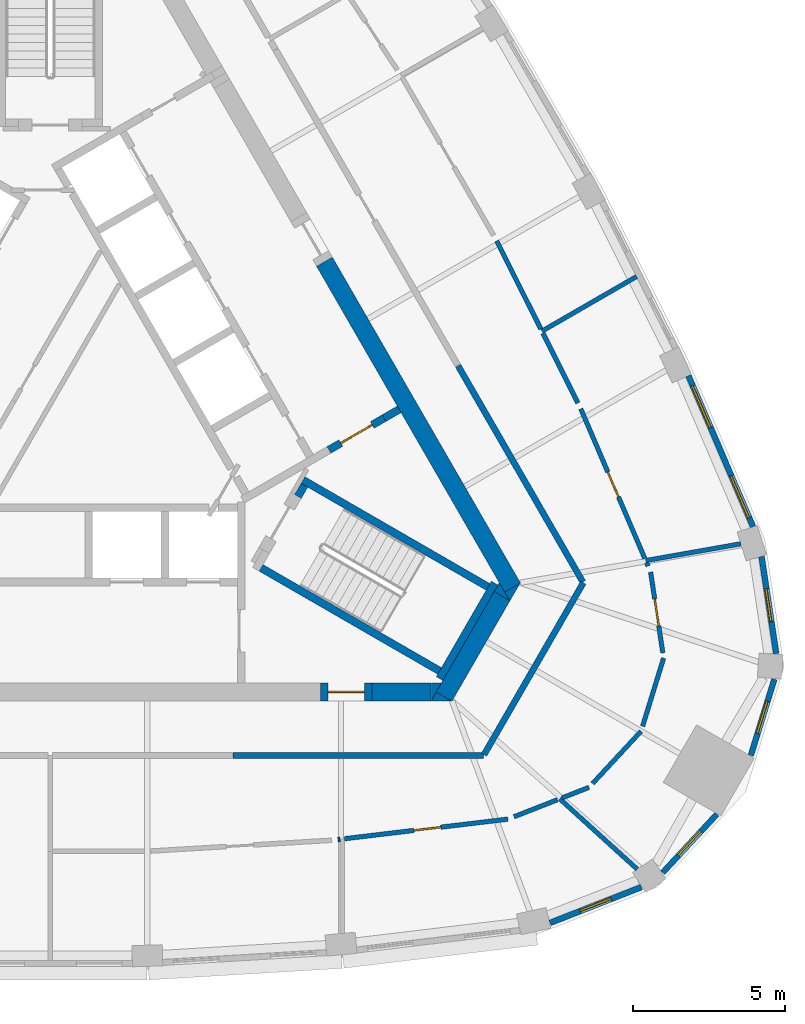
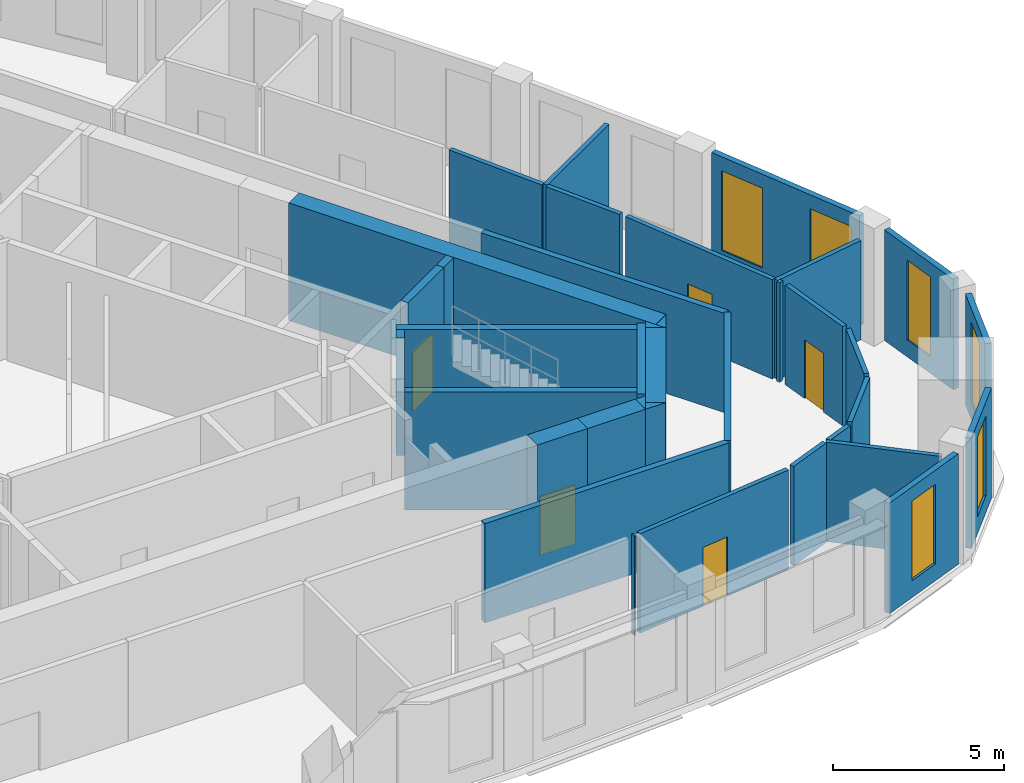
# One storey, part 7 of 10: 36 walls, 6 windows, 5 doors, 11 openings.
"""IFC4 building model written with IfcOpenShell, lengths in metres."""

from ifc_helpers import new_model, si_unit, direction, frame, frame_2d, origin, place, context, subcontext, project, spatial, polyline, rectangle, outline, extrude, material, layer, layer_set, type_object, element, fill, save


model = new_model("IFC4")

# Units and contexts
model_context = context("Model", 3, precision=1e-05, world=origin(), true_north=direction((0.0, 1.0)))
body_context = subcontext(model_context, "Body", "Model", "MODEL_VIEW")
ifc_project = project(units=[si_unit("LENGTHUNIT", "METRE"), si_unit("AREAUNIT", "SQUARE_METRE"), si_unit("VOLUMEUNIT", "CUBIC_METRE"), si_unit("PLANEANGLEUNIT", "RADIAN"), si_unit("MASSUNIT", "GRAM", prefix="KILO")], contexts=[model_context])

# Site, building, storey
site_placement = place(None, origin())
site = spatial("IfcSite", under=ifc_project, at=site_placement, CompositionType="ELEMENT")
building_placement = place(site_placement, origin())
building = spatial("IfcBuilding", under=site, at=building_placement, Name="Mestral Congress Tower", CompositionType="ELEMENT")
storey_placement = place(building_placement, frame((0.0, 0.0, 296.39990234375)))
storey = spatial("IfcBuildingStorey", under=building, at=storey_placement, Name="L69", CompositionType="ELEMENT", Elevation=296.39990234375)

# Walls
ifc_material_1 = material(Name="Concrete C60/75", Category="concrete")
ifc_layer_1 = layer(ifc_material_1, 0.60009765625)
ifc_layer_set_1 = layer_set([ifc_layer_1], Name="Concrete C60/75")
wall_type_1 = type_object("IfcWallType", Name="Core wall RC 600", PredefinedType="SOLIDWALL", material=ifc_layer_set_1)
wall_1_placement = place(storey_placement, frame((9.0419921875, 4.23876953125, 0.0), z_axis=(0.0, 0.0, 1.0), x_axis=(0.500005785455, -0.866022063525, 0.0)))
element("IfcWall", 1, at=wall_1_placement, inside=storey, type_object=wall_type_1, Name="L69 core wall", PredefinedType="SOLIDWALL", context=body_context, shape_type="SweptSolid", body=[
    extrude(rectangle(XDim=12.406494140625, YDim=0.60009765625, at=frame_2d((6.203125, 0.0))), origin(), (0.0, 0.0, 1.0), 4.2001953125),
])
placement = place(storey_placement, origin())
element("IfcWall", 2, at=placement, inside=storey, type_object=wall_type_1, Name="L69 core wall", PredefinedType="SOLIDWALL", context=body_context, shape_type="SweptSolid", body=[
    extrude(outline(polyline([(15.155517578125, -6.949951171875), (14.986572265625, -6.6572265625), (15.493408203125, -6.364501953125), (15.155517578125, -6.949951171875)])), origin(), (0.0, 0.0, 1.0), 4.2001953125),
])
wall_3_placement = place(storey_placement, frame((12.9873046875, -10.105712890625, 0.0), z_axis=(0.0, 0.0, 1.0), x_axis=(0.499950938802, 0.866053727428, 0.0)))
element("IfcWall", 3, at=wall_3_placement, inside=storey, type_object=wall_type_1, Name="L69 core wall", PredefinedType="SOLIDWALL", context=body_context, shape_type="SweptSolid", body=[
    extrude(rectangle(XDim=3.8232421875, YDim=0.60009765625, at=frame_2d((1.91162109375, 0.0))), origin(), (0.0, 0.0, 1.0), 4.2001953125),
])
element("IfcWall", 4, at=placement, inside=storey, type_object=wall_type_1, Name="L69 core wall", PredefinedType="SOLIDWALL", context=body_context, shape_type="SweptSolid", body=[
    extrude(outline(polyline([(12.726318359375, -9.957275390625), (13.2333984375, -10.25), (12.557373046875, -10.25), (12.726318359375, -9.957275390625)])), origin(), (0.0, 0.0, 1.0), 4.2001953125),
])
element("IfcWall", 5, at=placement, inside=storey, type_object=wall_type_1, Name="L69 core wall", PredefinedType="SOLIDWALL", context=body_context, shape_type="SweptSolid", body=[
    extrude(outline(polyline([(14.80908203125, -6.35009765625), (15.147216796875, -6.935791015625), (14.639892578125, -6.642822265625), (14.80908203125, -6.35009765625)])), origin(), (0.0, 0.0, 1.0), 4.2001953125),
])
wall_6_placement = place(storey_placement, frame((10.6044921875, -9.949951171875, 0.0), z_axis=(0.0, 0.0, 1.0), x_axis=(1.0, 0.0, 0.0)))
element("IfcWall", 6, at=wall_6_placement, inside=storey, type_object=wall_type_1, Name="L69 core wall", PredefinedType="SOLIDWALL", context=body_context, shape_type="SweptSolid", body=[
    extrude(rectangle(XDim=1.959228515625, YDim=0.60009765625, at=frame_2d((0.9794921875, 0.0))), origin(), (0.0, 0.0, 1.0), 4.2001953125),
])
element("IfcWall", 7, at=placement, inside=storey, type_object=wall_type_1, Name="L69 core wall", PredefinedType="SOLIDWALL", context=body_context, shape_type="SweptSolid", body=[
    extrude(outline(polyline([(12.90380859375, -9.64990234375), (12.56591796875, -10.235595703125), (12.56591796875, -9.64990234375), (12.90380859375, -9.64990234375)])), origin(), (0.0, 0.0, 1.0), 4.2001953125),
])

# Wall, opening, door
wall_8_placement = place(storey_placement, frame((10.6044921875, -9.949951171875, 0.0), z_axis=(0.0, 0.0, 1.0), x_axis=(-1.0, 0.0, 0.0)))
wall_8 = element("IfcWall", 8, at=wall_8_placement, inside=storey, type_object=wall_type_1, Name="L69 door wall", PredefinedType="SOLIDWALL", context=body_context, shape_type="SweptSolid", body=[
    extrude(rectangle(XDim=1.699951171875, YDim=0.60009765625, at=frame_2d((0.85009765625, 0.0))), origin(), (0.0, 0.0, 1.0), 4.2001953125),
])
opening_1_placement = place(wall_8_placement, frame((0.25, 0.0, 0.0)))
opening_1 = element("IfcOpeningElement", 9, at=opening_1_placement, cuts=wall_8, Name="Opening XD1", PredefinedType="OPENING", context=body_context, shape_type="SweptSolid", body=[
    extrude(rectangle(XDim=1.199951171875, YDim=2.10009765625, at=frame_2d((0.60009765625, 1.050048828125))), frame((0.0, 0.31005859375, 0.0), z_axis=(0.0, -1.0, 0.0), x_axis=(1.0, 0.0, 0.0)), (0.0, 0.0, 1.0), 0.6201171875),
])
ifc_material_2 = material(Name="Fire-rated steel door set", Category="steel")
door_type_1 = type_object("IfcDoorType", Name="Core door XD 1200x2100", OperationType="SINGLE_SWING_LEFT", PredefinedType="DOOR", material=ifc_material_2)
door_1_placement = place(opening_1_placement, origin())
door_1 = element("IfcDoor", 10, at=door_1_placement, inside=storey, type_object=door_type_1, Name="Door XD1", OperationType="SINGLE_SWING_LEFT", OverallHeight=2.10009765625, OverallWidth=1.199951171875, PredefinedType="DOOR", context=body_context, shape_type="SweptSolid", body=[
    extrude(rectangle(XDim=1.199951171875, YDim=2.10009765625, at=frame_2d((0.60009765625, 1.050048828125))), frame((0.0, 0.02490234375, 0.0), z_axis=(0.0, -1.0, 0.0), x_axis=(1.0, 0.0, 0.0)), (0.0, 0.0, 1.0), 0.050048828125),
])
fill(opening_1, door_1)

# Wall, opening, window
ifc_material_3 = material(Name="Precast concrete C40/50 with limestone facing", Category="masonry")
ifc_layer_2 = layer(ifc_material_3, 0.18994140625)
ifc_layer_set_2 = layer_set([ifc_layer_2], Name="Precast concrete C40/50 with limestone facing")
wall_type_2 = type_object("IfcWallType", Name="Facade stone wall 190", PredefinedType="SOLIDWALL", material=ifc_layer_set_2)
wall_9_placement = place(storey_placement, frame((16.48291015625, -17.572998046875, 0.0), z_axis=(0.0, 0.0, 1.0), x_axis=(0.93100888477, 0.364996515709, 0.0)))
wall_9 = element("IfcWall", 11, at=wall_9_placement, inside=storey, type_object=wall_type_2, Name="Facade wall K0-0", PredefinedType="SOLIDWALL", context=body_context, shape_type="SweptSolid", body=[
    extrude(rectangle(XDim=3.23681640625, YDim=0.18994140625, at=frame_2d((1.618408203125, 0.0))), origin(), (0.0, 0.0, 1.0), 3.9501953125),
])
opening_2_placement = place(wall_9_placement, frame((1.068359375, 0.0, 0.60009765625)))
opening_2 = element("IfcOpeningElement", 12, at=opening_2_placement, cuts=wall_9, Name="Opening W7", PredefinedType="OPENING", context=body_context, shape_type="SweptSolid", body=[
    extrude(rectangle(XDim=1.10009765625, YDim=2.85009765625, at=frame_2d((0.550048828125, 1.425048828125))), frame((0.0, 0.10498046875, 0.0), z_axis=(0.0, -1.0, 0.0), x_axis=(1.0, 0.0, 0.0)), (0.0, 0.0, 1.0), 0.2099609375),
])
ifc_material_4 = material(Name="Clear low-emissivity double glazing", Category="glass")
window_type_1 = type_object("IfcWindowType", Name="Facade punched window 1100 x 2850 sill 600", PartitioningType="SINGLE_PANEL", PredefinedType="WINDOW", material=ifc_material_4)
window_1_placement = place(opening_2_placement, origin())
window_1 = element("IfcWindow", 13, at=window_1_placement, inside=storey, type_object=window_type_1, Name="Window K0-0", OverallHeight=2.85009765625, OverallWidth=1.10009765625, PartitioningType="SINGLE_PANEL", PredefinedType="WINDOW", context=body_context, shape_type="SweptSolid", body=[
    extrude(rectangle(XDim=1.10009765625, YDim=2.85009765625, at=frame_2d((0.550048828125, 1.425048828125))), frame((0.0, 0.044921875, 0.0), z_axis=(0.0, -1.0, 0.0), x_axis=(1.0, 0.0, 0.0)), (0.0, 0.0, 1.0), 0.06005859375),
])
fill(opening_2, window_1)

wall_10_placement = place(storey_placement, frame((20.197998046875, -15.91357421875, 0.0), z_axis=(0.0, 0.0, 1.0), x_axis=(0.680219354823, 0.733008614768, 0.0)))
wall_10 = element("IfcWall", 14, at=wall_10_placement, inside=storey, type_object=wall_type_2, Name="Facade wall K0-1", PredefinedType="SOLIDWALL", context=body_context, shape_type="SweptSolid", body=[
    extrude(rectangle(XDim=2.626953125, YDim=0.18994140625, at=frame_2d((1.3134765625, 0.0))), origin(), (0.0, 0.0, 1.0), 3.9501953125),
])
opening_3_placement = place(wall_10_placement, frame((0.763427734375, 0.0, 0.60009765625)))
opening_3 = element("IfcOpeningElement", 15, at=opening_3_placement, cuts=wall_10, Name="Opening W7", PredefinedType="OPENING", context=body_context, shape_type="SweptSolid", body=[
    extrude(rectangle(XDim=1.10009765625, YDim=2.85009765625, at=frame_2d((0.550048828125, 1.425048828125))), frame((0.0, 0.10498046875, 0.0), z_axis=(0.0, -1.0, 0.0), x_axis=(1.0, 0.0, 0.0)), (0.0, 0.0, 1.0), 0.2099609375),
])
window_2_placement = place(opening_3_placement, origin())
window_2 = element("IfcWindow", 16, at=window_2_placement, inside=storey, type_object=window_type_1, Name="Window K0-1", OverallHeight=2.85009765625, OverallWidth=1.10009765625, PartitioningType="SINGLE_PANEL", PredefinedType="WINDOW", context=body_context, shape_type="SweptSolid", body=[
    extrude(rectangle(XDim=1.10009765625, YDim=2.85009765625, at=frame_2d((0.550048828125, 1.425048828125))), frame((0.0, 0.044921875, 0.0), z_axis=(0.0, -1.0, 0.0), x_axis=(1.0, 0.0, 0.0)), (0.0, 0.0, 1.0), 0.06005859375),
])
fill(opening_3, window_2)

wall_11_placement = place(storey_placement, frame((23.1064453125, -12.04541015625, 0.0), z_axis=(0.0, 0.0, 1.0), x_axis=(0.294706210429, 0.9555879078, 0.0)))
wall_11 = element("IfcWall", 17, at=wall_11_placement, inside=storey, type_object=wall_type_2, Name="Facade wall K0-2", PredefinedType="SOLIDWALL", context=body_context, shape_type="SweptSolid", body=[
    extrude(rectangle(XDim=2.626953125, YDim=0.18994140625, at=frame_2d((1.3134765625, 0.0))), origin(), (0.0, 0.0, 1.0), 3.9501953125),
])
opening_4_placement = place(wall_11_placement, frame((0.763427734375, 0.0, 0.60009765625)))
opening_4 = element("IfcOpeningElement", 18, at=opening_4_placement, cuts=wall_11, Name="Opening W7", PredefinedType="OPENING", context=body_context, shape_type="SweptSolid", body=[
    extrude(rectangle(XDim=1.10009765625, YDim=2.85009765625, at=frame_2d((0.550048828125, 1.425048828125))), frame((0.0, 0.10498046875, 0.0), z_axis=(0.0, -1.0, 0.0), x_axis=(1.0, 0.0, 0.0)), (0.0, 0.0, 1.0), 0.2099609375),
])
window_3_placement = place(opening_4_placement, origin())
window_3 = element("IfcWindow", 19, at=window_3_placement, inside=storey, type_object=window_type_1, Name="Window K0-2", OverallHeight=2.85009765625, OverallWidth=1.10009765625, PartitioningType="SINGLE_PANEL", PredefinedType="WINDOW", context=body_context, shape_type="SweptSolid", body=[
    extrude(rectangle(XDim=1.10009765625, YDim=2.85009765625, at=frame_2d((0.550048828125, 1.425048828125))), frame((0.0, 0.044921875, 0.0), z_axis=(0.0, -1.0, 0.0), x_axis=(1.0, 0.0, 0.0)), (0.0, 0.0, 1.0), 0.06005859375),
])
fill(opening_4, window_3)

wall_12_placement = place(storey_placement, frame((23.94384765625, -8.6884765625, 0.0), z_axis=(0.0, 0.0, 1.0), x_axis=(-0.149421055602, 0.988773658702, 0.0)))
wall_12 = element("IfcWall", 20, at=wall_12_placement, inside=storey, type_object=wall_type_2, Name="Facade wall K0-3", PredefinedType="SOLIDWALL", context=body_context, shape_type="SweptSolid", body=[
    extrude(rectangle(XDim=3.23681640625, YDim=0.18994140625, at=frame_2d((1.618408203125, 0.0))), origin(), (0.0, 0.0, 1.0), 3.9501953125),
])
opening_5_placement = place(wall_12_placement, frame((1.068359375, 0.0, 0.60009765625)))
opening_5 = element("IfcOpeningElement", 21, at=opening_5_placement, cuts=wall_12, Name="Opening W7", PredefinedType="OPENING", context=body_context, shape_type="SweptSolid", body=[
    extrude(rectangle(XDim=1.10009765625, YDim=2.85009765625, at=frame_2d((0.550048828125, 1.425048828125))), frame((0.0, 0.10498046875, 0.0), z_axis=(0.0, -1.0, 0.0), x_axis=(1.0, 0.0, 0.0)), (0.0, 0.0, 1.0), 0.2099609375),
])
window_4_placement = place(opening_5_placement, origin())
window_4 = element("IfcWindow", 22, at=window_4_placement, inside=storey, type_object=window_type_1, Name="Window K0-3", OverallHeight=2.85009765625, OverallWidth=1.10009765625, PartitioningType="SINGLE_PANEL", PredefinedType="WINDOW", context=body_context, shape_type="SweptSolid", body=[
    extrude(rectangle(XDim=1.10009765625, YDim=2.85009765625, at=frame_2d((0.550048828125, 1.425048828125))), frame((0.0, 0.044921875, 0.0), z_axis=(0.0, -1.0, 0.0), x_axis=(1.0, 0.0, 0.0)), (0.0, 0.0, 1.0), 0.06005859375),
])
fill(opening_5, window_4)

# Wall, openings, windows
wall_13_placement = place(storey_placement, frame((23.1787109375, -4.50048828125, 0.0), z_axis=(0.0, 0.0, 1.0), x_axis=(-0.393347848476, 0.919389726992, 0.0)))
wall_13 = element("IfcWall", 23, at=wall_13_placement, inside=storey, type_object=wall_type_2, Name="Facade wall F1-00", PredefinedType="SOLIDWALL", context=body_context, shape_type="SweptSolid", body=[
    extrude(rectangle(XDim=5.414794921875, YDim=0.18994140625, at=frame_2d((2.70751953125, 0.0))), origin(), (0.0, 0.0, 1.0), 3.9501953125),
])
opening_6_placement = place(wall_13_placement, frame((0.322509765625, 0.0, 0.60009765625)))
opening_6 = element("IfcOpeningElement", 24, at=opening_6_placement, cuts=wall_13, Name="Opening W6", PredefinedType="OPENING", context=body_context, shape_type="SweptSolid", body=[
    extrude(rectangle(XDim=1.5, YDim=2.85009765625, at=frame_2d((0.75, 1.425048828125))), frame((0.0, 0.10498046875, 0.0), z_axis=(0.0, -1.0, 0.0), x_axis=(1.0, 0.0, 0.0)), (0.0, 0.0, 1.0), 0.2099609375),
])
opening_7_placement = place(wall_13_placement, frame((3.5576171875, 0.0, 0.60009765625)))
opening_7 = element("IfcOpeningElement", 25, at=opening_7_placement, cuts=wall_13, Name="Opening W6", PredefinedType="OPENING", context=body_context, shape_type="SweptSolid", body=[
    extrude(rectangle(XDim=1.5, YDim=2.85009765625, at=frame_2d((0.75, 1.425048828125))), frame((0.0, 0.10498046875, 0.0), z_axis=(0.0, -1.0, 0.0), x_axis=(1.0, 0.0, 0.0)), (0.0, 0.0, 1.0), 0.2099609375),
])
window_type_2 = type_object("IfcWindowType", Name="Facade punched window 1500 x 2850 sill 600", PartitioningType="SINGLE_PANEL", PredefinedType="WINDOW", material=ifc_material_4)
window_5_placement = place(opening_6_placement, origin())
window_5 = element("IfcWindow", 26, at=window_5_placement, inside=storey, type_object=window_type_2, Name="Window F1-00a", OverallHeight=2.85009765625, OverallWidth=1.5, PartitioningType="SINGLE_PANEL", PredefinedType="WINDOW", context=body_context, shape_type="SweptSolid", body=[
    extrude(rectangle(XDim=1.5, YDim=2.85009765625, at=frame_2d((0.75, 1.425048828125))), frame((0.0, 0.044921875, 0.0), z_axis=(0.0, -1.0, 0.0), x_axis=(1.0, 0.0, 0.0)), (0.0, 0.0, 1.0), 0.06005859375),
])
fill(opening_6, window_5)
window_6_placement = place(opening_7_placement, origin())
window_6 = element("IfcWindow", 27, at=window_6_placement, inside=storey, type_object=window_type_2, Name="Window F1-00b", OverallHeight=2.85009765625, OverallWidth=1.5, PartitioningType="SINGLE_PANEL", PredefinedType="WINDOW", context=body_context, shape_type="SweptSolid", body=[
    extrude(rectangle(XDim=1.5, YDim=2.85009765625, at=frame_2d((0.75, 1.425048828125))), frame((0.0, 0.044921875, 0.0), z_axis=(0.0, -1.0, 0.0), x_axis=(1.0, 0.0, 0.0)), (0.0, 0.0, 1.0), 0.06005859375),
])
fill(opening_7, window_6)

# Walls
ifc_material_5 = material(Name="Plasterboard partition on steel studs", Category="steel")
ifc_layer_3 = layer(ifc_material_5, 0.14990234375)
ifc_layer_set_3 = layer_set([ifc_layer_3], Name="Plasterboard partition on steel studs")
wall_type_3 = type_object("IfcWallType", Name="Office partition 150", PredefinedType="PARTITIONING", material=ifc_layer_set_3)
wall_14_placement = place(storey_placement, frame((9.492431640625, -14.8203125, 0.0), z_axis=(0.0, 0.0, 1.0), x_axis=(0.993123019804, 0.117075477944, 0.0)))
element("IfcWall", 28, at=wall_14_placement, inside=storey, type_object=wall_type_3, Name="Partition", PredefinedType="PARTITIONING", context=body_context, shape_type="SweptSolid", body=[
    extrude(rectangle(XDim=0.060546875, YDim=0.14990234375, at=frame_2d((0.0302734375, 0.0))), origin(), (0.0, 0.0, 1.0), 3.550048828125),
])
wall_15_placement = place(storey_placement, frame((16.802734375, -13.47900390625, 0.0), z_axis=(0.0, 0.0, 1.0), x_axis=(0.740052004703, -0.672549648974, 0.0)))
element("IfcWall", 29, at=wall_15_placement, inside=storey, type_object=wall_type_3, Name="Partition", PredefinedType="PARTITIONING", context=body_context, shape_type="SweptSolid", body=[
    extrude(rectangle(XDim=3.4541015625, YDim=0.14990234375, at=frame_2d((1.72705078125, 0.0))), origin(), (0.0, 0.0, 1.0), 3.550048828125),
])

# Wall, opening, door
wall_16_placement = place(storey_placement, frame((15.094482421875, -14.148681640625, 0.0), z_axis=(0.0, 0.0, 1.0), x_axis=(-0.992889171133, -0.119042403566, 0.0)))
wall_16 = element("IfcWall", 30, at=wall_16_placement, inside=storey, type_object=wall_type_3, Name="Partition", PredefinedType="PARTITIONING", context=body_context, shape_type="SweptSolid", body=[
    extrude(rectangle(XDim=5.4306640625, YDim=0.14990234375, at=frame_2d((2.71533203125, 0.0))), origin(), (0.0, 0.0, 1.0), 3.550048828125),
])
opening_8_placement = place(wall_16_placement, frame((2.230712890625, 0.0, 0.0)))
opening_8 = element("IfcOpeningElement", 31, at=opening_8_placement, cuts=wall_16, Name="Opening O13-003", PredefinedType="OPENING", context=body_context, shape_type="SweptSolid", body=[
    extrude(rectangle(XDim=0.89990234375, YDim=2.10009765625, at=frame_2d((0.449951171875, 1.050048828125))), frame((0.0, 0.0849609375, 0.0), z_axis=(0.0, -1.0, 0.0), x_axis=(1.0, 0.0, 0.0)), (0.0, 0.0, 1.0), 0.169921875),
])
ifc_material_6 = material(Name="Timber door set", Category="wood")
door_type_2 = type_object("IfcDoorType", Name="Office door 900x2100", OperationType="SINGLE_SWING_LEFT", PredefinedType="DOOR", material=ifc_material_6)
door_2_placement = place(opening_8_placement, origin())
door_2 = element("IfcDoor", 32, at=door_2_placement, inside=storey, type_object=door_type_2, Name="Door O13-003", OperationType="SINGLE_SWING_LEFT", OverallHeight=2.10009765625, OverallWidth=0.89990234375, PredefinedType="DOOR", context=body_context, shape_type="SweptSolid", body=[
    extrude(rectangle(XDim=0.89990234375, YDim=2.10009765625, at=frame_2d((0.449951171875, 1.050048828125))), frame((0.0, 0.02490234375, 0.0), z_axis=(0.0, -1.0, 0.0), x_axis=(1.0, 0.0, 0.0)), (0.0, 0.0, 1.0), 0.050048828125),
])
fill(opening_8, door_2)

# Walls
wall_17_placement = place(storey_placement, frame((15.2939453125, -14.070556640625, 0.0), z_axis=(0.0, 0.0, 1.0), x_axis=(0.930996486245, 0.365028139463, 0.0)))
element("IfcWall", 33, at=wall_17_placement, inside=storey, type_object=wall_type_3, Name="Partition", PredefinedType="PARTITIONING", context=body_context, shape_type="SweptSolid", body=[
    extrude(rectangle(XDim=1.536865234375, YDim=0.14990234375, at=frame_2d((0.7685546875, 0.0))), origin(), (0.0, 0.0, 1.0), 3.550048828125),
])
wall_18_placement = place(storey_placement, frame((19.638671875, -5.61962890625, 0.0), z_axis=(0.0, 0.0, 1.0), x_axis=(0.984765028635, 0.173890305586, 0.0)))
element("IfcWall", 34, at=wall_18_placement, inside=storey, type_object=wall_type_3, Name="Partition", PredefinedType="PARTITIONING", context=body_context, shape_type="SweptSolid", body=[
    extrude(rectangle(XDim=3.184326171875, YDim=0.14990234375, at=frame_2d((1.59228515625, 0.0))), origin(), (0.0, 0.0, 1.0), 3.550048828125),
])
wall_19_placement = place(storey_placement, frame((16.880615234375, -13.448486328125, 0.0), z_axis=(0.0, 0.0, 1.0), x_axis=(0.930913400557, 0.365239976815, 0.0)))
element("IfcWall", 35, at=wall_19_placement, inside=storey, type_object=wall_type_3, Name="Partition", PredefinedType="PARTITIONING", context=body_context, shape_type="SweptSolid", body=[
    extrude(rectangle(XDim=0.95263671875, YDim=0.14990234375, at=frame_2d((0.476318359375, 0.0))), origin(), (0.0, 0.0, 1.0), 3.550048828125),
])
wall_20_placement = place(storey_placement, frame((17.885009765625, -12.97412109375, 0.0), z_axis=(0.0, 0.0, 1.0), x_axis=(0.680200271904, 0.733026322926, 0.0)))
element("IfcWall", 36, at=wall_20_placement, inside=storey, type_object=wall_type_3, Name="Partition", PredefinedType="PARTITIONING", context=body_context, shape_type="SweptSolid", body=[
    extrude(rectangle(XDim=2.352294921875, YDim=0.14990234375, at=frame_2d((1.17626953125, 0.0))), origin(), (0.0, 0.0, 1.0), 3.550048828125),
])
wall_21_placement = place(storey_placement, frame((19.5361328125, -11.084716796875, 0.0), z_axis=(0.0, 0.0, 1.0), x_axis=(0.294632751805, 0.955610559571, 0.0)))
element("IfcWall", 37, at=wall_21_placement, inside=storey, type_object=wall_type_3, Name="Partition", PredefinedType="PARTITIONING", context=body_context, shape_type="SweptSolid", body=[
    extrude(rectangle(XDim=2.3525390625, YDim=0.14990234375, at=frame_2d((1.17626953125, 0.0))), origin(), (0.0, 0.0, 1.0), 3.550048828125),
])

# Wall, opening, door
wall_22_placement = place(storey_placement, frame((19.80029296875, -5.997802734375, 0.0), z_axis=(0.0, 0.0, 1.0), x_axis=(0.149384554916, -0.988779173907, 0.0)))
wall_22 = element("IfcWall", 38, at=wall_22_placement, inside=storey, type_object=wall_type_3, Name="Partition", PredefinedType="PARTITIONING", context=body_context, shape_type="SweptSolid", body=[
    extrude(rectangle(XDim=2.6982421875, YDim=0.14990234375, at=frame_2d((1.34912109375, 0.0))), origin(), (0.0, 0.0, 1.0), 3.550048828125),
])
opening_9_placement = place(wall_22_placement, frame((0.898193359375, 0.0, 0.0)))
opening_9 = element("IfcOpeningElement", 39, at=opening_9_placement, cuts=wall_22, Name="Opening O13-004", PredefinedType="OPENING", context=body_context, shape_type="SweptSolid", body=[
    extrude(rectangle(XDim=0.89990234375, YDim=2.10009765625, at=frame_2d((0.449951171875, 1.050048828125))), frame((0.0, 0.0849609375, 0.0), z_axis=(0.0, -1.0, 0.0), x_axis=(1.0, 0.0, 0.0)), (0.0, 0.0, 1.0), 0.169921875),
])
door_3_placement = place(opening_9_placement, origin())
door_3 = element("IfcDoor", 40, at=door_3_placement, inside=storey, type_object=door_type_2, Name="Door O13-004", OperationType="SINGLE_SWING_LEFT", OverallHeight=2.10009765625, OverallWidth=0.89990234375, PredefinedType="DOOR", context=body_context, shape_type="SweptSolid", body=[
    extrude(rectangle(XDim=0.89990234375, YDim=2.10009765625, at=frame_2d((0.449951171875, 1.050048828125))), frame((0.0, 0.02490234375, 0.0), z_axis=(0.0, -1.0, 0.0), x_axis=(1.0, 0.0, 0.0)), (0.0, 0.0, 1.0), 0.050048828125),
])
fill(opening_9, door_3)

# Walls
wall_23_placement = place(storey_placement, frame((19.716064453125, -5.80078125, 0.0), z_axis=(0.0, 0.0, 1.0), x_axis=(-0.394409976498, 0.918934584418, 0.0)))
element("IfcWall", 41, at=wall_23_placement, inside=storey, type_object=wall_type_3, Name="Partition", PredefinedType="PARTITIONING", context=body_context, shape_type="SweptSolid", body=[
    extrude(rectangle(XDim=0.1201171875, YDim=0.14990234375, at=frame_2d((0.06005859375, 0.0))), origin(), (0.0, 0.0, 1.0), 3.550048828125),
])
wall_24_placement = place(storey_placement, frame((16.21484375, 1.9482421875, 0.0), z_axis=(0.0, 0.0, 1.0), x_axis=(0.866026634742, 0.499997867913, 0.0)))
element("IfcWall", 42, at=wall_24_placement, inside=storey, type_object=wall_type_3, Name="Partition", PredefinedType="PARTITIONING", context=body_context, shape_type="SweptSolid", body=[
    extrude(rectangle(XDim=3.6064453125, YDim=0.14990234375, at=frame_2d((1.80322265625, 0.0))), origin(), (0.0, 0.0, 1.0), 3.550048828125),
])

# Wall, opening, door
wall_25_placement = place(storey_placement, frame((17.49658203125, -0.61328125, 0.0), z_axis=(0.0, 0.0, 1.0), x_axis=(0.393381340755, -0.919375397075, 0.0)))
wall_25 = element("IfcWall", 43, at=wall_25_placement, inside=storey, type_object=wall_type_3, Name="Partition", PredefinedType="PARTITIONING", context=body_context, shape_type="SweptSolid", body=[
    extrude(rectangle(XDim=5.368408203125, YDim=0.14990234375, at=frame_2d((2.68408203125, 0.0))), origin(), (0.0, 0.0, 1.0), 3.550048828125),
])
opening_10_placement = place(wall_25_placement, frame((2.26806640625, 0.0, 0.0)))
opening_10 = element("IfcOpeningElement", 44, at=opening_10_placement, cuts=wall_25, Name="Opening O13-005", PredefinedType="OPENING", context=body_context, shape_type="SweptSolid", body=[
    extrude(rectangle(XDim=0.89990234375, YDim=2.10009765625, at=frame_2d((0.449951171875, 1.050048828125))), frame((0.0, 0.0849609375, 0.0), z_axis=(0.0, -1.0, 0.0), x_axis=(1.0, 0.0, 0.0)), (0.0, 0.0, 1.0), 0.169921875),
])
door_4_placement = place(opening_10_placement, origin())
door_4 = element("IfcDoor", 45, at=door_4_placement, inside=storey, type_object=door_type_2, Name="Door O13-005", OperationType="SINGLE_SWING_RIGHT", OverallHeight=2.10009765625, OverallWidth=0.89990234375, PredefinedType="DOOR", context=body_context, shape_type="SweptSolid", body=[
    extrude(rectangle(XDim=0.89990234375, YDim=2.10009765625, at=frame_2d((0.449951171875, 1.050048828125))), frame((0.0, 0.02490234375, 0.0), z_axis=(0.0, -1.0, 0.0), x_axis=(1.0, 0.0, 0.0)), (0.0, 0.0, 1.0), 0.050048828125),
])
fill(opening_10, door_4)

# Walls
wall_26_placement = place(storey_placement, frame((17.40087890625, -0.421875, 0.0), z_axis=(0.0, 0.0, 1.0), x_axis=(-0.447479029466, 0.894294424778, 0.0)))
element("IfcWall", 46, at=wall_26_placement, inside=storey, type_object=wall_type_3, Name="Partition", PredefinedType="PARTITIONING", context=body_context, shape_type="SweptSolid", body=[
    extrude(rectangle(XDim=2.5751953125, YDim=0.14990234375, at=frame_2d((1.28759765625, 0.0))), origin(), (0.0, 0.0, 1.0), 3.550048828125),
])
wall_27_placement = place(storey_placement, frame((16.181396484375, 2.015380859375, 0.0), z_axis=(0.0, 0.0, 1.0), x_axis=(-0.447513663313, 0.894277094165, 0.0)))
element("IfcWall", 47, at=wall_27_placement, inside=storey, type_object=wall_type_3, Name="Partition", PredefinedType="PARTITIONING", context=body_context, shape_type="SweptSolid", body=[
    extrude(rectangle(XDim=3.254150390625, YDim=0.14990234375, at=frame_2d((1.626953125, 0.0))), origin(), (0.0, 0.0, 1.0), 3.550048828125),
])
ifc_material_7 = material(Name="Dense masonry wall, plastered", Category="masonry")
ifc_layer_4 = layer(ifc_material_7, 0.199951171875)
ifc_layer_set_4 = layer_set([ifc_layer_4], Name="Dense masonry wall, plastered")
wall_type_4 = type_object("IfcWallType", Name="Office tenancy wall 200", PredefinedType="PARTITIONING", material=ifc_layer_set_4)
wall_28_placement = place(storey_placement, frame((6.030029296875, -12.050048828125, 0.0), z_axis=(0.0, 0.0, 1.0), x_axis=(1.0, 0.0, 0.0)))
element("IfcWall", 48, at=wall_28_placement, inside=storey, type_object=wall_type_4, Name="Tenancy wall", PredefinedType="PARTITIONING", context=body_context, shape_type="SweptSolid", body=[
    extrude(rectangle(XDim=8.25927734375, YDim=0.199951171875, at=frame_2d((4.129638671875, 0.0))), origin(), (0.0, 0.0, 1.0), 3.550048828125),
])
wall_29_placement = place(storey_placement, frame((14.304443359375, -12.02392578125, 0.0), z_axis=(0.0, 0.0, 1.0), x_axis=(0.500010613097, 0.866019276224, 0.0)))
element("IfcWall", 49, at=wall_29_placement, inside=storey, type_object=wall_type_4, Name="Tenancy wall", PredefinedType="PARTITIONING", context=body_context, shape_type="SweptSolid", body=[
    extrude(rectangle(XDim=6.551513671875, YDim=0.199951171875, at=frame_2d((3.27587890625, 0.0))), origin(), (0.0, 0.0, 1.0), 3.550048828125),
])
wall_30_placement = place(storey_placement, frame((17.565185546875, -6.323974609375, 0.0), z_axis=(0.0, 0.0, 1.0), x_axis=(-0.499977548053, 0.866038366034, 0.0)))
element("IfcWall", 50, at=wall_30_placement, inside=storey, type_object=wall_type_4, Name="Tenancy wall", PredefinedType="PARTITIONING", context=body_context, shape_type="SweptSolid", body=[
    extrude(rectangle(XDim=8.2294921875, YDim=0.199951171875, at=frame_2d((4.11474609375, 0.0))), origin(), (0.0, 0.0, 1.0), 3.550048828125),
])
ifc_layer_5 = layer(ifc_material_1, 0.25)
ifc_layer_set_5 = layer_set([ifc_layer_5], Name="Concrete C60/75")
wall_type_5 = type_object("IfcWallType", Name="Shaft wall RC 250", PredefinedType="SOLIDWALL", material=ifc_layer_set_5)
wall_31_placement = place(storey_placement, frame((11.507080078125, -0.631103515625, 0.0), z_axis=(0.0, 0.0, 1.0), x_axis=(-0.866093731455, -0.499881634324, 0.0)))
element("IfcWall", 51, at=wall_31_placement, inside=storey, type_object=wall_type_5, Name="L69 core wall", PredefinedType="SOLIDWALL", context=body_context, shape_type="SweptSolid", body=[
    extrude(rectangle(XDim=0.575439453125, YDim=0.25, at=frame_2d((0.28759765625, 0.0))), origin(), (0.0, 0.0, 1.0), 4.2001953125),
])

# Wall, opening, door
wall_32_placement = place(storey_placement, frame((11.0087890625, -0.918701171875, 0.0), z_axis=(0.0, 0.0, 1.0), x_axis=(-0.866059744384, -0.49994051562, 0.0)))
wall_32 = element("IfcWall", 52, at=wall_32_placement, inside=storey, type_object=wall_type_5, Name="L69 door wall", PredefinedType="SOLIDWALL", context=body_context, shape_type="SweptSolid", body=[
    extrude(rectangle(XDim=2.099853515625, YDim=0.25, at=frame_2d((1.0498046875, 0.0))), origin(), (0.0, 0.0, 1.0), 4.2001953125),
])
opening_11_placement = place(wall_32_placement, frame((0.449951171875, 0.0, 0.0)))
opening_11 = element("IfcOpeningElement", 53, at=opening_11_placement, cuts=wall_32, Name="Opening LB1-PX10", PredefinedType="OPENING", context=body_context, shape_type="SweptSolid", body=[
    extrude(rectangle(XDim=1.199951171875, YDim=2.10009765625, at=frame_2d((0.60009765625, 1.050048828125))), frame((0.0, 0.135009765625, 0.0), z_axis=(0.0, -1.0, 0.0), x_axis=(1.0, 0.0, 0.0)), (0.0, 0.0, 1.0), 0.27001953125),
])
door_type_3 = type_object("IfcDoorType", Name="Core door LB 1200x2100", OperationType="SINGLE_SWING_LEFT", PredefinedType="DOOR", material=ifc_material_2)
door_5_placement = place(opening_11_placement, origin())
door_5 = element("IfcDoor", 54, at=door_5_placement, inside=storey, type_object=door_type_3, Name="Door LB1-PX10", OperationType="SINGLE_SWING_LEFT", OverallHeight=2.10009765625, OverallWidth=1.199951171875, PredefinedType="DOOR", context=body_context, shape_type="SweptSolid", body=[
    extrude(rectangle(XDim=1.199951171875, YDim=2.10009765625, at=frame_2d((0.60009765625, 1.050048828125))), frame((0.0, 0.02490234375, 0.0), z_axis=(0.0, -1.0, 0.0), x_axis=(1.0, 0.0, 0.0)), (0.0, 0.0, 1.0), 0.050048828125),
])
fill(opening_11, door_5)

# Walls
ifc_layer_6 = layer(ifc_material_1, 0.25)
ifc_layer_set_6 = layer_set([ifc_layer_6], Name="Concrete C60/75")
wall_type_6 = type_object("IfcWallType", Name="Stair wall RC 250", PredefinedType="SOLIDWALL", material=ifc_layer_set_6)
wall_33_placement = place(storey_placement, frame((12.839599609375, -9.510986328125, 0.0), z_axis=(0.0, 0.0, 1.0), x_axis=(0.500048121057, 0.865997619297, 0.0)))
element("IfcWall", 55, at=wall_33_placement, inside=storey, type_object=wall_type_6, Name="L69 core wall", PredefinedType="SOLIDWALL", context=body_context, shape_type="SweptSolid", body=[
    extrude(rectangle(XDim=3.634033203125, YDim=0.25, at=frame_2d((1.81689453125, 0.0))), origin(), (0.0, 0.0, 1.0), 4.2001953125),
])
wall_34_placement = place(storey_placement, frame((12.83984375, -9.2607421875, 0.0), z_axis=(0.0, 0.0, 1.0), x_axis=(-0.866013990052, 0.500019768644, 0.0)))
element("IfcWall", 56, at=wall_34_placement, inside=storey, type_object=wall_type_6, Name="L69 core wall", PredefinedType="SOLIDWALL", context=body_context, shape_type="SweptSolid", body=[
    extrude(rectangle(XDim=6.800048828125, YDim=0.25, at=frame_2d((3.39990234375, 0.0))), origin(), (0.0, 0.0, 1.0), 4.2001953125),
])
wall_35_placement = place(storey_placement, frame((8.33447265625, -2.96435546875, 0.0), z_axis=(0.0, 0.0, 1.0), x_axis=(0.866016039709, -0.500016218704, 0.0)))
element("IfcWall", 57, at=wall_35_placement, inside=storey, type_object=wall_type_6, Name="L69 core wall", PredefinedType="SOLIDWALL", context=body_context, shape_type="SweptSolid", body=[
    extrude(rectangle(XDim=7.050048828125, YDim=0.25, at=frame_2d((3.52490234375, 0.0))), origin(), (0.0, 0.0, 1.0), 4.2001953125),
])
wall_36_placement = place(storey_placement, frame((8.167724609375, -3.503173828125, 0.0), z_axis=(0.0, 0.0, 1.0), x_axis=(0.49972245349, 0.866185586049, 0.0)))
element("IfcWall", 58, at=wall_36_placement, inside=storey, type_object=wall_type_6, Name="L69 core wall", PredefinedType="SOLIDWALL", context=body_context, shape_type="SweptSolid", body=[
    extrude(rectangle(XDim=0.425048828125, YDim=0.25, at=frame_2d((0.21240234375, 0.0))), origin(), (0.0, 0.0, 1.0), 4.2001953125),
])

save(model, "model.ifc")
